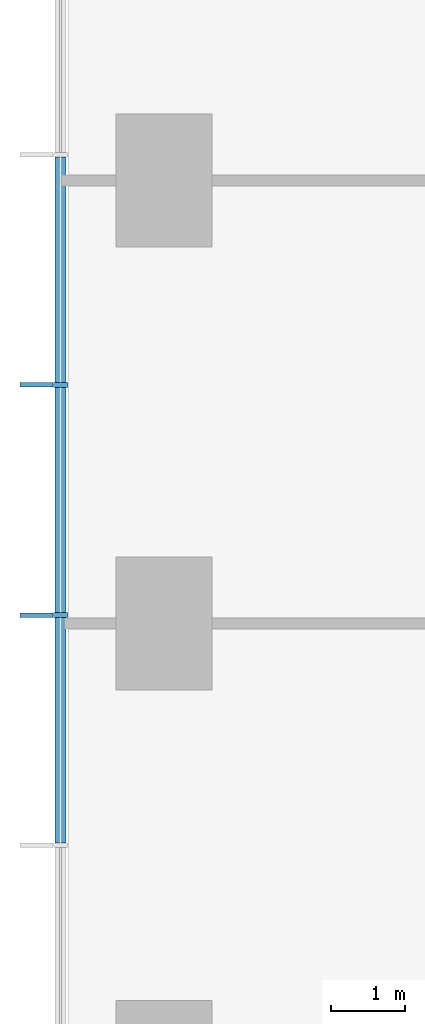
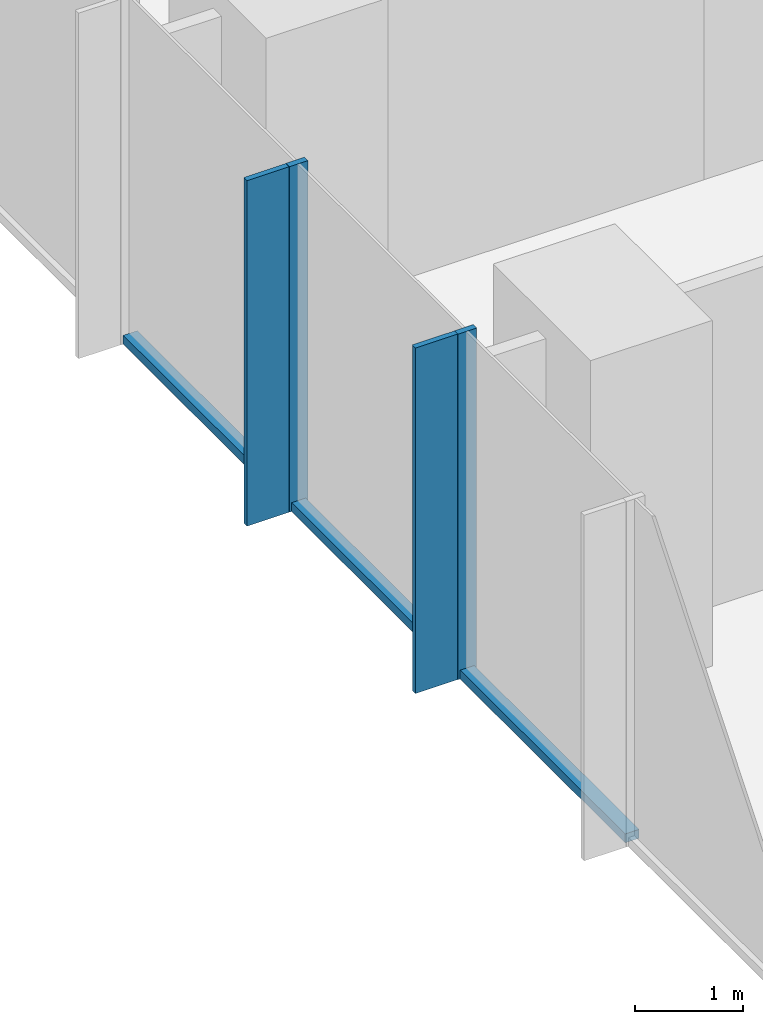
# One storey, part 3 of 12: 7 members, 1 element without a shape of its own.
"""IFC4 building model written with IfcOpenShell, lengths in metres."""

from ifc_helpers import new_model, si_unit, direction, frame, origin, origin_2d, place, context, subcontext, project, spatial, rectangle, extrude, material, layer, layer_set, material_profile, profile_set, type_object, element, aggregate, save


model = new_model("IFC4")

# Units and contexts
model_context = context("Model", 3, precision=1e-05, world=origin(), true_north=direction((0.0, 1.0)))
body_context = subcontext(model_context, "Body", "Model", "MODEL_VIEW")
ifc_project = project(units=[si_unit("LENGTHUNIT", "METRE"), si_unit("AREAUNIT", "SQUARE_METRE"), si_unit("VOLUMEUNIT", "CUBIC_METRE"), si_unit("PLANEANGLEUNIT", "RADIAN"), si_unit("MASSUNIT", "GRAM", prefix="KILO")], contexts=[model_context])

# Site, building, storey
site_placement = place(None, origin())
site = spatial("IfcSite", under=ifc_project, at=site_placement, CompositionType="ELEMENT")
building_placement = place(site_placement, origin())
building = spatial("IfcBuilding", under=site, at=building_placement, Name="Highveld Stack Headquarters", CompositionType="ELEMENT")
storey_placement = place(building_placement, frame((0.0, 0.0, 148.39990234375)))
storey = spatial("IfcBuildingStorey", under=building, at=storey_placement, Name="L36", CompositionType="ELEMENT", Elevation=148.39990234375)

# Curtain wall, members
ifc_material_1 = material(Name="Aluminium bronze anodised", Category="aluminium")
ifc_layer = layer(ifc_material_1, 0.199951171875)
ifc_layer_set = layer_set([ifc_layer], Name="Aluminium bronze anodised")
curtain_wall_type = type_object("IfcCurtainWallType", Name="CW1 TOWER UNITISED CURTAIN WALL", PredefinedType="NOTDEFINED", material=ifc_layer_set)
curtain_wall_placement = place(storey_placement, origin())
curtain_wall = element("IfcCurtainWall", 1, at=curtain_wall_placement, inside=storey, type_object=curtain_wall_type, Name="Curtain wall CW1 L36 W", PredefinedType="NOTDEFINED")
ifc_material_2 = material(Name="Aluminium bronze anodised", Category="aluminium")
ifc_material_profile_1 = material_profile(ifc_material_2, rectangle(XDim=0.449951171875, YDim=0.06005859375, at=origin_2d()), Name="FIN 450x60")
ifc_profile_set_1 = profile_set([ifc_material_profile_1], Name="Aluminium bronze anodised")
member_type_1 = type_object("IfcMemberType", Name="CW1 BRONZE FIN 450x60", PredefinedType="USERDEFINED", material=ifc_profile_set_1)
member_1_placement = place(storey_placement, frame((-19.72509765625, 9.23193359375, 0.0), z_axis=(0.0, 0.0, 1.0), x_axis=(1.0, 0.0, 0.0)))
member_1 = element("IfcMember", 2, at=member_1_placement, type_object=member_type_1, Name="CW1 fin L36 4", ObjectType="FIN", PredefinedType="USERDEFINED", context=body_context, shape_type="SweptSolid", body=[
    extrude(rectangle(XDim=0.449951171875, YDim=0.06005859375, at=origin_2d()), origin(), (0.0, 0.0, 1.0), 3.900146484375),
])
member_2_placement = place(storey_placement, frame((-19.72509765625, 6.115966796875, 0.0), z_axis=(0.0, 0.0, 1.0), x_axis=(1.0, 0.0, 0.0)))
member_2 = element("IfcMember", 3, at=member_2_placement, type_object=member_type_1, Name="CW1 fin L36 5", ObjectType="FIN", PredefinedType="USERDEFINED", context=body_context, shape_type="SweptSolid", body=[
    extrude(rectangle(XDim=0.449951171875, YDim=0.06005859375, at=origin_2d()), origin(), (0.0, 0.0, 1.0), 3.900146484375),
])
ifc_material_3 = material(Name="Aluminium bronze anodised", Category="aluminium")
ifc_material_profile_2 = material_profile(ifc_material_3, rectangle(XDim=0.199951171875, YDim=0.06494140625, at=origin_2d()), Name="CW1 MULLION 65x200")
ifc_profile_set_2 = profile_set([ifc_material_profile_2], Name="Aluminium bronze anodised")
member_type_2 = type_object("IfcMemberType", Name="CW1 MULLION 65x200", PredefinedType="MULLION", material=ifc_profile_set_2)
member_3_placement = place(storey_placement, frame((-19.39990234375, 9.23193359375, 0.0), z_axis=(0.0, 0.0, 1.0), x_axis=(1.0, 0.0, 0.0)))
member_3 = element("IfcMember", 4, at=member_3_placement, type_object=member_type_2, Name="CW1 mullion L36 4", PredefinedType="MULLION", context=body_context, shape_type="SweptSolid", body=[
    extrude(rectangle(XDim=0.199951171875, YDim=0.06494140625, at=origin_2d()), origin(), (0.0, 0.0, 1.0), 3.900146484375),
])
member_4_placement = place(storey_placement, frame((-19.39990234375, 6.115966796875, 0.0), z_axis=(0.0, 0.0, 1.0), x_axis=(1.0, 0.0, 0.0)))
member_4 = element("IfcMember", 5, at=member_4_placement, type_object=member_type_2, Name="CW1 mullion L36 5", PredefinedType="MULLION", context=body_context, shape_type="SweptSolid", body=[
    extrude(rectangle(XDim=0.199951171875, YDim=0.06494140625, at=origin_2d()), origin(), (0.0, 0.0, 1.0), 3.900146484375),
])
ifc_material_4 = material(Name="Aluminium bronze anodised", Category="aluminium")
ifc_material_profile_3 = material_profile(ifc_material_4, rectangle(XDim=0.14990234375, YDim=0.10009765625, at=origin_2d()), Name="CW1 TRANSOM 150x100")
ifc_profile_set_3 = profile_set([ifc_material_profile_3], Name="Aluminium bronze anodised")
member_type_3 = type_object("IfcMemberType", Name="CW1 STACK TRANSOM 150x100", PredefinedType="USERDEFINED", material=ifc_profile_set_3)
member_5_placement = place(storey_placement, frame((-19.39990234375, 12.3154296875, 0.050048828125), z_axis=(0.0, -1.0, 0.0), x_axis=(1.0, 0.0, 0.0)))
member_5 = element("IfcMember", 6, at=member_5_placement, type_object=member_type_3, Name="CW1 transom L36 3.1", ObjectType="TRANSOM", PredefinedType="USERDEFINED", context=body_context, shape_type="SweptSolid", body=[
    extrude(rectangle(XDim=0.14990234375, YDim=0.10009765625, at=origin_2d()), origin(), (0.0, 0.0, 1.0), 3.051025390625),
])
member_6_placement = place(storey_placement, frame((-19.39990234375, 9.199462890625, 0.050048828125), z_axis=(0.0, -1.0, 0.0), x_axis=(1.0, 0.0, 0.0)))
member_6 = element("IfcMember", 7, at=member_6_placement, type_object=member_type_3, Name="CW1 transom L36 4.1", ObjectType="TRANSOM", PredefinedType="USERDEFINED", context=body_context, shape_type="SweptSolid", body=[
    extrude(rectangle(XDim=0.14990234375, YDim=0.10009765625, at=origin_2d()), origin(), (0.0, 0.0, 1.0), 3.051025390625),
])
member_7_placement = place(storey_placement, frame((-19.39990234375, 6.08349609375, 0.050048828125), z_axis=(0.0, -1.0, 0.0), x_axis=(1.0, 0.0, 0.0)))
member_7 = element("IfcMember", 8, at=member_7_placement, type_object=member_type_3, Name="CW1 transom L36 5.1", ObjectType="TRANSOM", PredefinedType="USERDEFINED", context=body_context, shape_type="SweptSolid", body=[
    extrude(rectangle(XDim=0.14990234375, YDim=0.10009765625, at=origin_2d()), origin(), (0.0, 0.0, 1.0), 3.051025390625),
])
aggregate(curtain_wall, [member_3, member_1, member_4, member_2, member_5, member_6, member_7])

save(model, "model.ifc")
